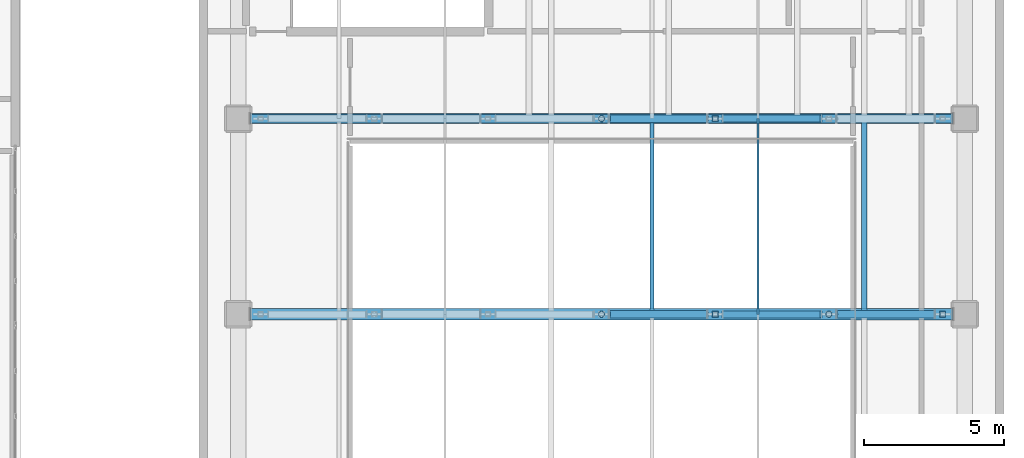
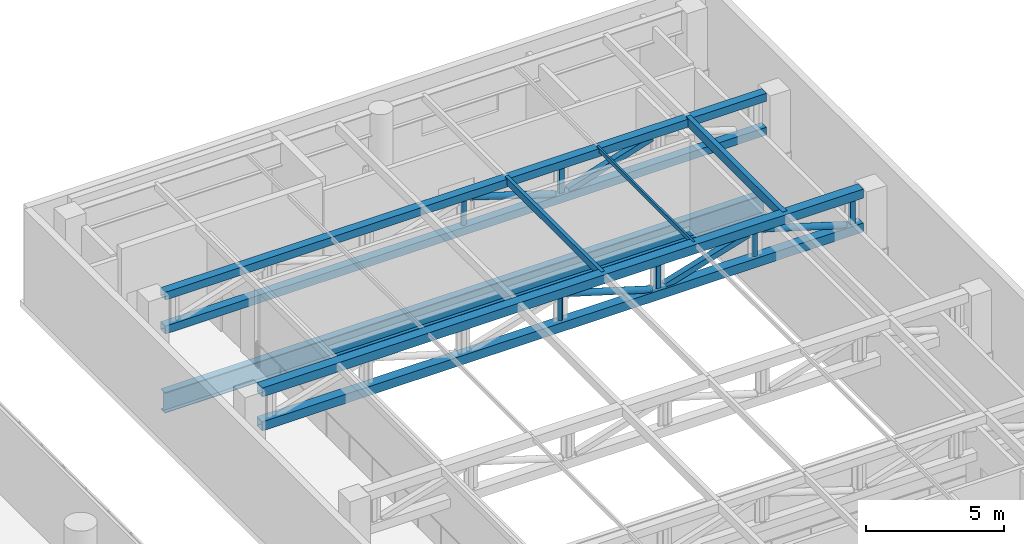
# One storey, part 12 of 25: 18 members, 1 beam.
"""IFC4 building model written with IfcOpenShell, lengths in metres."""

from ifc_helpers import new_model, si_unit, direction, frame, origin, origin_2d, place, context, subcontext, project, spatial, hollow_rectangle, hollow_circle, i_section, extrude, material, material_profile, profile_set, type_object, element, save


model = new_model("IFC4")

# Units and contexts
model_context = context("Model", 3, precision=1e-05, world=origin(), true_north=direction((0.0, 1.0)))
body_context = subcontext(model_context, "Body", "Model", "MODEL_VIEW")
ifc_project = project(units=[si_unit("LENGTHUNIT", "METRE"), si_unit("AREAUNIT", "SQUARE_METRE"), si_unit("VOLUMEUNIT", "CUBIC_METRE"), si_unit("PLANEANGLEUNIT", "RADIAN"), si_unit("MASSUNIT", "GRAM", prefix="KILO")], contexts=[model_context])

# Site, building, storey
site_placement = place(None, origin())
site = spatial("IfcSite", under=ifc_project, at=site_placement, CompositionType="ELEMENT")
building_placement = place(site_placement, origin())
building = spatial("IfcBuilding", under=site, at=building_placement, Name="Solanera Arch Residences", CompositionType="ELEMENT")
storey_placement = place(building_placement, frame((0.0, 0.0, 17.800048828125)))
storey = spatial("IfcBuildingStorey", under=building, at=storey_placement, Name="L04", CompositionType="ELEMENT", Elevation=17.800048828125)

# Beam
ifc_material_1 = material(Name="Steel S355 (ASTM A992 / A572 Grade 50)", Category="steel")
ifc_material_profile_1 = material_profile(ifc_material_1, i_section(OverallWidth=0.306884765625, OverallDepth=0.912109375, WebThickness=0.01953125, FlangeThickness=0.031982421875, at=origin_2d()))
ifc_profile_set_1 = profile_set([ifc_material_profile_1], Name="Steel S355 (ASTM A992 / A572 Grade 50)")
beam_type = type_object("IfcBeamType", Name="Primary Beam W920X342", PredefinedType="BEAM", material=ifc_profile_set_1)
beam_placement = place(storey_placement, frame((56.22509765625, 41.39990234375, -0.736083984375), z_axis=(1.0, 0.0, 0.0), x_axis=(0.0, 1.0, 0.0)))
element("IfcBeam", 1, at=beam_placement, inside=storey, type_object=beam_type, Name="BM-L04-HCN", PredefinedType="BEAM", context=body_context, shape_type="SweptSolid", body=[
    extrude(i_section(OverallWidth=0.306884765625, OverallDepth=0.912109375, WebThickness=0.01953125, FlangeThickness=0.031982421875, at=origin_2d()), origin(), (0.0, 0.0, 1.0), 25.14990234375),
])

# Members
ifc_material_2 = material(Name="Steel S355 (ASTM A992 / A572 Grade 50)", Category="steel")
ifc_material_profile_2 = material_profile(ifc_material_2, hollow_rectangle(XDim=0.080078125, YDim=0.179931640625, WallThickness=0.006103515625, at=origin_2d()))
ifc_profile_set_2 = profile_set([ifc_material_profile_2], Name="Steel S355 (ASTM A992 / A572 Grade 50)")
member_type_1 = type_object("IfcMemberType", Name="Roof Purlin HSS180X80X6", PredefinedType="PURLIN", material=ifc_profile_set_2)
member_1_placement = place(storey_placement, frame((74.39990234375, 34.39990234375, 4.10986328125), z_axis=(0.0, 1.0, 0.0), x_axis=(-1.0, 0.0, 0.0)))
element("IfcMember", 2, at=member_1_placement, inside=storey, type_object=member_type_1, Name="Sports Hall Roof Purlin 5.4", PredefinedType="PURLIN", context=body_context, shape_type="SweptSolid", body=[
    extrude(hollow_rectangle(XDim=0.080078125, YDim=0.179931640625, WallThickness=0.006103515625, at=origin_2d()), origin(), (0.0, 0.0, 1.0), 7.0),
])
ifc_material_3 = material(Name="Steel S355 (ASTM A992 / A572 Grade 50)", Category="steel")
ifc_material_profile_3 = material_profile(ifc_material_3, hollow_rectangle(XDim=0.14990234375, YDim=0.300048828125, WallThickness=0.010009765625, at=origin_2d()))
ifc_profile_set_3 = profile_set([ifc_material_profile_3], Name="Steel S355 (ASTM A992 / A572 Grade 50)")
member_type_2 = type_object("IfcMemberType", Name="Roof Purlin HSS300X150X10", PredefinedType="PURLIN", material=ifc_profile_set_3)
member_2_placement = place(storey_placement, frame((70.60009765625, 34.39990234375, 4.050048828125), z_axis=(0.0, 1.0, 0.0), x_axis=(-1.0, 0.0, 0.0)))
element("IfcMember", 3, at=member_2_placement, inside=storey, type_object=member_type_2, Name="Sports Hall Roof Purlin 4.4", PredefinedType="PURLIN", context=body_context, shape_type="SweptSolid", body=[
    extrude(hollow_rectangle(XDim=0.14990234375, YDim=0.300048828125, WallThickness=0.010009765625, at=origin_2d()), origin(), (0.0, 0.0, 1.0), 7.0),
])
ifc_material_4 = material(Name="Steel S355 (ASTM A992 / A572 Grade 50)", Category="steel")
ifc_material_profile_4 = material_profile(ifc_material_4, hollow_rectangle(XDim=0.199951171875, YDim=0.39990234375, WallThickness=0.012451171875, at=origin_2d()))
ifc_profile_set_4 = profile_set([ifc_material_profile_4], Name="Steel S355 (ASTM A992 / A572 Grade 50)")
member_type_3 = type_object("IfcMemberType", Name="Roof Purlin HSS400X200X12.5", PredefinedType="PURLIN", material=ifc_profile_set_4)
member_3_placement = place(storey_placement, frame((78.199951171875, 34.39990234375, 4.0), z_axis=(0.0, 1.0, 0.0), x_axis=(-1.0, 0.0, 0.0)))
element("IfcMember", 4, at=member_3_placement, inside=storey, type_object=member_type_3, Name="Sports Hall Roof Purlin 6.4", PredefinedType="PURLIN", context=body_context, shape_type="SweptSolid", body=[
    extrude(hollow_rectangle(XDim=0.199951171875, YDim=0.39990234375, WallThickness=0.012451171875, at=origin_2d()), origin(), (0.0, 0.0, 1.0), 7.0),
])
ifc_material_5 = material(Name="Steel S355 (ASTM A992 / A572 Grade 50)", Category="steel")
ifc_material_profile_5 = material_profile(ifc_material_5, hollow_circle(Radius=0.109619140625, WallThickness=0.008056640625, at=origin_2d()))
ifc_profile_set_5 = profile_set([ifc_material_profile_5], Name="Steel S355 (ASTM A992 / A572 Grade 50)")
member_type_4 = type_object("IfcMemberType", Name="Strut CHS219.1X8", PredefinedType="STRUT", material=ifc_profile_set_5)
for number, where, z_axis, x_axis, name in (
    (5, (68.800048828125, 34.39990234375, 2.719970703125), (0.0, 0.0, 1.0), (1.0, 0.0, 0.0), "Sports Hall Roof Truss 3 Vertical Post 3"),
    (6, (76.93310546875, 34.39990234375, 2.719970703125), (0.0, 0.0, 1.0), (1.0, 0.0, 0.0), "Sports Hall Roof Truss 3 Vertical Post 5"),
):
    element("IfcMember", number, at=place(storey_placement, frame(where, z_axis=z_axis, x_axis=x_axis)), inside=storey, type_object=member_type_4, Name=name, PredefinedType="STRUT", context=body_context, shape_type="SweptSolid", body=[
        extrude(hollow_circle(Radius=0.109619140625, WallThickness=0.008056640625, at=origin_2d()), origin(), (0.0, 0.0, 1.0), 1.06005859375),
    ])
member_4_placement = place(storey_placement, frame((68.800048828125, 41.39990234375, 2.695068359375), z_axis=(0.0, 0.0, 1.0), x_axis=(1.0, 0.0, 0.0)))
element("IfcMember", 7, at=member_4_placement, inside=storey, type_object=member_type_4, Name="Sports Hall Roof Truss 4 Vertical Post 3", PredefinedType="STRUT", context=body_context, shape_type="SweptSolid", body=[
    extrude(hollow_circle(Radius=0.109619140625, WallThickness=0.008056640625, at=origin_2d()), origin(), (0.0, 0.0, 1.0), 1.10986328125),
])
ifc_material_6 = material(Name="Steel S355 (ASTM A992 / A572 Grade 50)", Category="steel")
ifc_material_profile_6 = material_profile(ifc_material_6, hollow_rectangle(XDim=0.35009765625, YDim=0.35009765625, WallThickness=0.012451171875, at=origin_2d()))
ifc_profile_set_6 = profile_set([ifc_material_profile_6], Name="Steel S355 (ASTM A992 / A572 Grade 50)")
member_type_5 = type_object("IfcMemberType", Name="Truss Chord HSS350X350X12.5", PredefinedType="CHORD", material=ifc_profile_set_6)
for number, where, z_axis, x_axis, name in (
    (8, (56.22509765625, 41.39990234375, 4.0), (1.0, 0.0, 0.0), (0.0, 1.0, 0.0), "Sports Hall Roof Truss 4 Top Chord"),
    (9, (56.22509765625, 41.39990234375, 2.5), (1.0, 0.0, 0.0), (0.0, 1.0, 0.0), "Sports Hall Roof Truss 4 Bottom Chord"),
):
    element("IfcMember", number, at=place(storey_placement, frame(where, z_axis=z_axis, x_axis=x_axis)), inside=storey, type_object=member_type_5, Name=name, PredefinedType="CHORD", context=body_context, shape_type="SweptSolid", body=[
        extrude(hollow_rectangle(XDim=0.35009765625, YDim=0.35009765625, WallThickness=0.012451171875, at=origin_2d()), origin(), (0.0, 0.0, 1.0), 25.14990234375),
    ])
ifc_material_7 = material(Name="Steel S355 (ASTM A992 / A572 Grade 50)", Category="steel")
ifc_material_profile_7 = material_profile(ifc_material_7, hollow_rectangle(XDim=0.39990234375, YDim=0.39990234375, WallThickness=0.01611328125, at=origin_2d()))
ifc_profile_set_7 = profile_set([ifc_material_profile_7], Name="Steel S355 (ASTM A992 / A572 Grade 50)")
member_type_6 = type_object("IfcMemberType", Name="Truss Chord HSS400X400X16", PredefinedType="CHORD", material=ifc_profile_set_7)
for number, where, z_axis, x_axis, name in (
    (10, (56.22509765625, 34.39990234375, 4.0), (1.0, 0.0, 0.0), (0.0, 1.0, 0.0), "Sports Hall Roof Truss 3 Top Chord"),
    (11, (56.22509765625, 34.39990234375, 2.5), (1.0, 0.0, 0.0), (0.0, 1.0, 0.0), "Sports Hall Roof Truss 3 Bottom Chord"),
):
    element("IfcMember", number, at=place(storey_placement, frame(where, z_axis=z_axis, x_axis=x_axis)), inside=storey, type_object=member_type_6, Name=name, PredefinedType="CHORD", context=body_context, shape_type="SweptSolid", body=[
        extrude(hollow_rectangle(XDim=0.39990234375, YDim=0.39990234375, WallThickness=0.01611328125, at=origin_2d()), origin(), (0.0, 0.0, 1.0), 25.14990234375),
    ])
ifc_material_8 = material(Name="Steel S355 (ASTM A992 / A572 Grade 50)", Category="steel")
ifc_material_profile_8 = material_profile(ifc_material_8, hollow_circle(Radius=0.136474609375, WallThickness=0.010009765625, at=origin_2d()))
ifc_profile_set_8 = profile_set([ifc_material_profile_8], Name="Steel S355 (ASTM A992 / A572 Grade 50)")
member_type_7 = type_object("IfcMemberType", Name="Truss Diagonal CHS273X10", PredefinedType="BRACE", material=ifc_profile_set_8)
member_5_placement = place(storey_placement, frame((69.080078125, 34.39990234375, 3.780029296875), z_axis=(0.957222588357, 0.0, -0.289352581359), x_axis=(0.0, 1.0, 0.0)))
element("IfcMember", 12, at=member_5_placement, inside=storey, type_object=member_type_7, Name="Sports Hall Roof Truss 3 Web Diagonal 4", PredefinedType="BRACE", context=body_context, shape_type="SweptSolid", body=[
    extrude(hollow_circle(Radius=0.136474609375, WallThickness=0.010009765625, at=origin_2d()), origin(), (0.0, 0.0, 1.0), 3.66357421875),
])
member_6_placement = place(storey_placement, frame((77.212890625, 34.39990234375, 3.780029296875), z_axis=(0.957228167284, 0.0, -0.289334124772), x_axis=(0.0, 1.0, 0.0)))
element("IfcMember", 13, at=member_6_placement, inside=storey, type_object=member_type_7, Name="Sports Hall Roof Truss 3 Web Diagonal 6", PredefinedType="BRACE", context=body_context, shape_type="SweptSolid", body=[
    extrude(hollow_circle(Radius=0.136474609375, WallThickness=0.010009765625, at=origin_2d()), origin(), (0.0, 0.0, 1.0), 3.663818359375),
])
member_7_placement = place(storey_placement, frame((69.080078125, 41.39990234375, 3.804931640625), z_axis=(0.953391879618, 0.0, -0.301734856916), x_axis=(0.0, 1.0, 0.0)))
element("IfcMember", 14, at=member_7_placement, inside=storey, type_object=member_type_7, Name="Sports Hall Roof Truss 4 Web Diagonal 4", PredefinedType="BRACE", context=body_context, shape_type="SweptSolid", body=[
    extrude(hollow_circle(Radius=0.136474609375, WallThickness=0.010009765625, at=origin_2d()), origin(), (0.0, 0.0, 1.0), 3.67822265625),
])
ifc_material_9 = material(Name="Steel S355 (ASTM A992 / A572 Grade 50)", Category="steel")
ifc_material_profile_9 = material_profile(ifc_material_9, hollow_rectangle(XDim=0.25, YDim=0.25, WallThickness=0.010009765625, at=origin_2d()))
ifc_profile_set_9 = profile_set([ifc_material_profile_9], Name="Steel S355 (ASTM A992 / A572 Grade 50)")
member_type_8 = type_object("IfcMemberType", Name="Truss Diagonal HSS250X250X10", PredefinedType="BRACE", material=ifc_profile_set_9)
member_8_placement = place(storey_placement, frame((73.14697265625, 34.39990234375, 2.719970703125), z_axis=(0.957205845167, 0.0, 0.289407964607), x_axis=(0.0, 1.0, 0.0)))
element("IfcMember", 15, at=member_8_placement, inside=storey, type_object=member_type_8, Name="Sports Hall Roof Truss 3 Web Diagonal 5", PredefinedType="BRACE", context=body_context, shape_type="SweptSolid", body=[
    extrude(hollow_rectangle(XDim=0.25, YDim=0.25, WallThickness=0.010009765625, at=origin_2d()), origin(), (0.0, 0.0, 1.0), 3.662841796875),
])
member_9_placement = place(storey_placement, frame((73.14697265625, 41.39990234375, 2.695068359375), z_axis=(0.953373745687, 0.0, 0.301792148729), x_axis=(0.0, 1.0, 0.0)))
element("IfcMember", 16, at=member_9_placement, inside=storey, type_object=member_type_8, Name="Sports Hall Roof Truss 4 Web Diagonal 5", PredefinedType="BRACE", context=body_context, shape_type="SweptSolid", body=[
    extrude(hollow_rectangle(XDim=0.25, YDim=0.25, WallThickness=0.010009765625, at=origin_2d()), origin(), (0.0, 0.0, 1.0), 3.677490234375),
])
ifc_material_10 = material(Name="Steel S355 (ASTM A992 / A572 Grade 50)", Category="steel")
ifc_material_profile_10 = material_profile(ifc_material_10, hollow_rectangle(XDim=0.199951171875, YDim=0.199951171875, WallThickness=0.010009765625, at=origin_2d()))
ifc_profile_set_10 = profile_set([ifc_material_profile_10], Name="Steel S355 (ASTM A992 / A572 Grade 50)")
member_type_9 = type_object("IfcMemberType", Name="Truss Post HSS200X200X10", PredefinedType="STRUT", material=ifc_profile_set_10)
for number, where, z_axis, x_axis, name in (
    (17, (72.866943359375, 34.39990234375, 2.719970703125), (0.0, 0.0, 1.0), (1.0, 0.0, 0.0), "Sports Hall Roof Truss 3 Vertical Post 4"),
    (18, (81.0, 34.39990234375, 2.719970703125), (0.0, 0.0, 1.0), (1.0, 0.0, 0.0), "Sports Hall Roof Truss 3 Vertical Post 6"),
):
    element("IfcMember", number, at=place(storey_placement, frame(where, z_axis=z_axis, x_axis=x_axis)), inside=storey, type_object=member_type_9, Name=name, PredefinedType="STRUT", context=body_context, shape_type="SweptSolid", body=[
        extrude(hollow_rectangle(XDim=0.199951171875, YDim=0.199951171875, WallThickness=0.010009765625, at=origin_2d()), origin(), (0.0, 0.0, 1.0), 1.06005859375),
    ])
member_10_placement = place(storey_placement, frame((72.866943359375, 41.39990234375, 2.695068359375), z_axis=(0.0, 0.0, 1.0), x_axis=(1.0, 0.0, 0.0)))
element("IfcMember", 19, at=member_10_placement, inside=storey, type_object=member_type_9, Name="Sports Hall Roof Truss 4 Vertical Post 4", PredefinedType="STRUT", context=body_context, shape_type="SweptSolid", body=[
    extrude(hollow_rectangle(XDim=0.199951171875, YDim=0.199951171875, WallThickness=0.010009765625, at=origin_2d()), origin(), (0.0, 0.0, 1.0), 1.10986328125),
])

save(model, "model.ifc")
